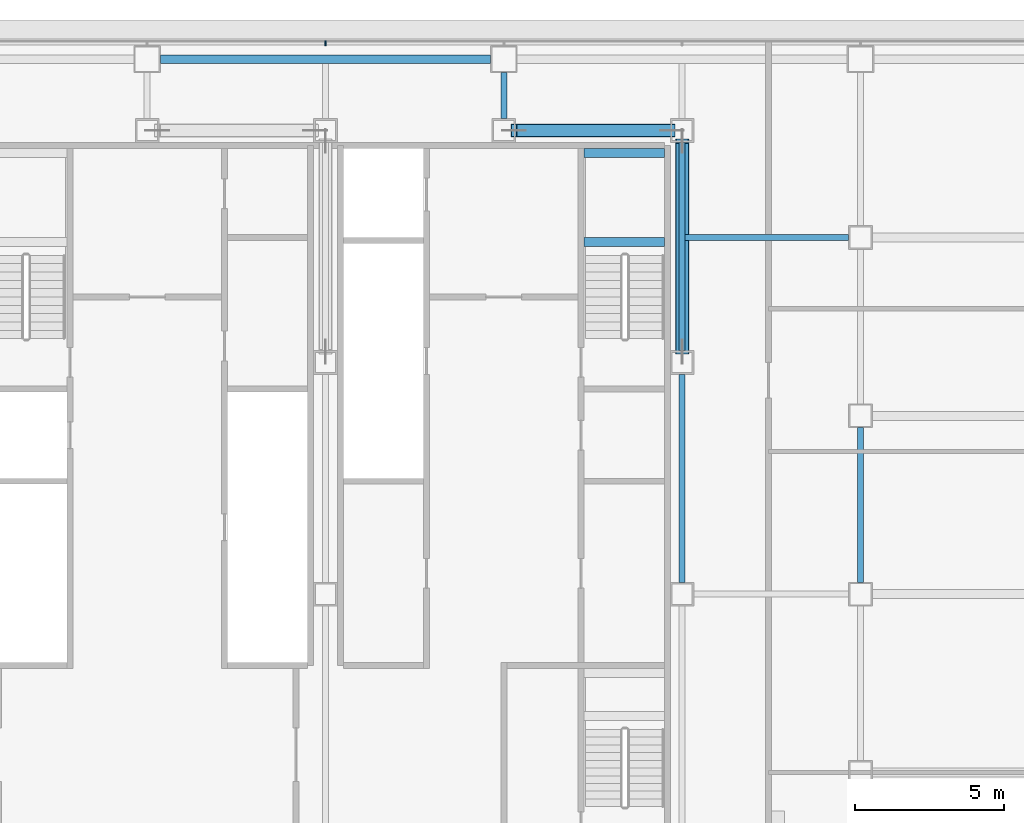
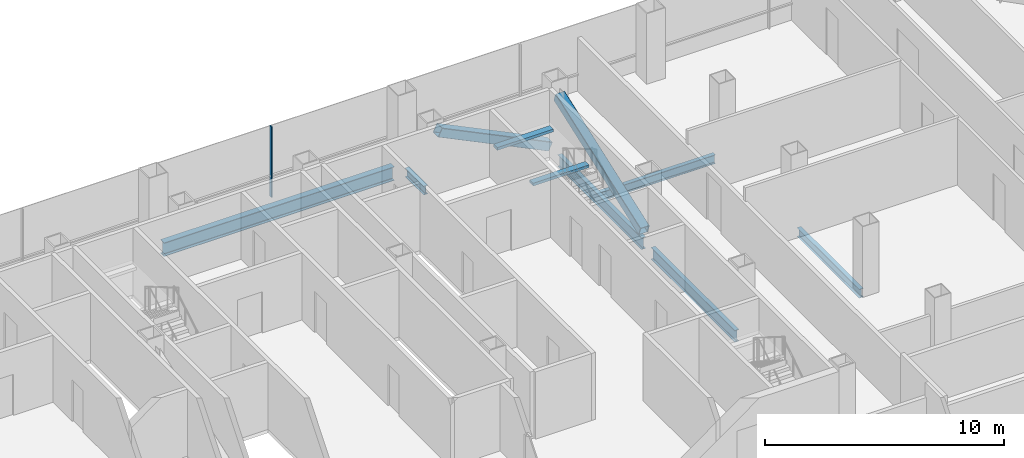
# One storey, part 13 of 27: 8 beams, 3 members, 1 element without a shape of its own.
"""IFC4 building model written with IfcOpenShell, lengths in metres."""

from ifc_helpers import new_model, si_unit, direction, frame, origin, origin_2d, place, context, subcontext, project, spatial, rectangle, hollow_rectangle, i_section, extrude, material, material_profile, profile_set, type_object, element, aggregate, save


model = new_model("IFC4")

# Units and contexts
model_context = context("Model", 3, precision=1e-05, world=origin(), true_north=direction((0.0, 1.0)))
body_context = subcontext(model_context, "Body", "Model", "MODEL_VIEW")
ifc_project = project(units=[si_unit("LENGTHUNIT", "METRE"), si_unit("AREAUNIT", "SQUARE_METRE"), si_unit("VOLUMEUNIT", "CUBIC_METRE"), si_unit("PLANEANGLEUNIT", "RADIAN"), si_unit("MASSUNIT", "GRAM", prefix="KILO")], contexts=[model_context])

# Site, building, storey
site_placement = place(None, origin())
site = spatial("IfcSite", under=ifc_project, at=site_placement, CompositionType="ELEMENT")
building_placement = place(site_placement, origin())
building = spatial("IfcBuilding", under=site, at=building_placement, Name="Sorahane Residences", CompositionType="ELEMENT")
storey_placement = place(building_placement, frame((0.0, 0.0, 53.39990234375)))
storey = spatial("IfcBuildingStorey", under=building, at=storey_placement, Name="L09", CompositionType="ELEMENT", Elevation=53.39990234375)

# Members
ifc_material_1 = material(Name="Steel Q355B", Category="steel")
ifc_material_profile_1 = material_profile(ifc_material_1, hollow_rectangle(XDim=0.449951171875, YDim=0.449951171875, WallThickness=0.02197265625, InnerFilletRadius=0.010986328125, OuterFilletRadius=0.032958984375, at=origin_2d()), Name="RHS 450x450x22")
ifc_profile_set_1 = profile_set([ifc_material_profile_1], Name="Steel Q355B")
member_type_1 = type_object("IfcMemberType", Name="Core brace RHS 450x450x22 Q355B", PredefinedType="BRACE", material=ifc_profile_set_1)
member_1_placement = place(storey_placement, frame((41.658935546875, 45.60009765625, 0.196533203125), z_axis=(-0.899894691922, 0.0, 0.436107261405), x_axis=(0.0, -1.0, 0.0)))
element("IfcMember", 1, at=member_1_placement, inside=storey, type_object=member_type_1, Name="Core brace L09 y45.6-6", PredefinedType="BRACE", context=body_context, shape_type="SweptSolid", body=[
    extrude(hollow_rectangle(XDim=0.449951171875, YDim=0.449951171875, WallThickness=0.02197265625, InnerFilletRadius=0.010986328125, OuterFilletRadius=0.032958984375, at=origin_2d()), origin(), (0.0, 0.0, 1.0), 5.909423828125),
])
member_2_placement = place(storey_placement, frame((42.0, 38.154296875, 0.208740234375), z_axis=(0.0, 0.940893192956, 0.338703409266), x_axis=(-1.0, 0.0, 0.0)))
element("IfcMember", 2, at=member_2_placement, inside=storey, type_object=member_type_1, Name="Core brace L09 x42-3", PredefinedType="BRACE", context=body_context, shape_type="SweptSolid", body=[
    extrude(hollow_rectangle(XDim=0.449951171875, YDim=0.449951171875, WallThickness=0.02197265625, InnerFilletRadius=0.010986328125, OuterFilletRadius=0.032958984375, at=origin_2d()), origin(), (0.0, 0.0, 1.0), 7.536865234375),
])

# Curtain wall, member
ifc_material_2 = material(Name="Dark low-e glass and black anodised aluminium", Category="aluminium")
curtain_wall_type = type_object("IfcCurtainWallType", Name="Curtain wall CW-1 Typical unitised wall", PredefinedType="NOTDEFINED", material=ifc_material_2)
curtain_wall_placement = place(storey_placement, origin())
curtain_wall = element("IfcCurtainWall", 3, at=curtain_wall_placement, inside=storey, type_object=curtain_wall_type, Name="CW-1 curtain wall L09 N1", PredefinedType="NOTDEFINED")
ifc_material_3 = material(Name="Black anodised aluminium", Category="aluminium")
ifc_material_profile_2 = material_profile(ifc_material_3, rectangle(XDim=0.159912109375, YDim=0.050048828125, at=origin_2d()), Name="Curtain wall mullion CW-1 black anodised aluminium 50x160")
ifc_profile_set_2 = profile_set([ifc_material_profile_2], Name="Black anodised aluminium")
member_type_2 = type_object("IfcMemberType", Name="Curtain wall mullion CW-1 black anodised aluminium 50x160", PredefinedType="MULLION", material=ifc_profile_set_2)
member_3_placement = place(storey_placement, frame((30.0, 48.5400390625, -0.179931640625), z_axis=(0.0, 0.0, 1.0), x_axis=(0.0, 1.0, 0.0)))
member_3 = element("IfcMember", 4, at=member_3_placement, type_object=member_type_2, Name="CW-1 mullion L09 N1.6", PredefinedType="MULLION", context=body_context, shape_type="SweptSolid", body=[
    extrude(rectangle(XDim=0.159912109375, YDim=0.050048828125, at=origin_2d()), origin(), (0.0, 0.0, 1.0), 3.60009765625),
])
aggregate(curtain_wall, [member_3])

# Beams
ifc_material_4 = material(Name="Concrete C40", Category="concrete")
ifc_material_profile_3 = material_profile(ifc_material_4, rectangle(XDim=0.300048828125, YDim=0.139892578125, at=origin_2d()), Name="300x140")
ifc_profile_set_3 = profile_set([ifc_material_profile_3], Name="Concrete C40")
beam_type_1 = type_object("IfcBeamType", Name="RC landing beam 300 x 140 Concrete C40", PredefinedType="BEAM", material=ifc_profile_set_3)
for number, where, z_axis, x_axis, name in (
    (5, (38.699951171875, 41.85009765625, 1.530029296875), (1.0, 0.0, 0.0), (0.0, 1.0, 0.0), "Landing beam"),
    (6, (38.699951171875, 44.85009765625, 1.530029296875), (1.0, 0.0, 0.0), (0.0, 1.0, 0.0), "Landing beam"),
):
    element("IfcBeam", number, at=place(storey_placement, frame(where, z_axis=z_axis, x_axis=x_axis)), inside=storey, type_object=beam_type_1, Name=name, PredefinedType="BEAM", context=body_context, shape_type="SweptSolid", body=[
        extrude(rectangle(XDim=0.300048828125, YDim=0.139892578125, at=origin_2d()), origin(), (0.0, 0.0, 1.0), 2.699951171875),
    ])
ifc_material_5 = material(Name="Steel Q355B", Category="steel")
ifc_material_profile_4 = material_profile(ifc_material_5, i_section(OverallWidth=0.199951171875, OverallDepth=0.449951171875, WebThickness=0.009033203125, FlangeThickness=0.013916015625, FilletRadius=0.02001953125, at=origin_2d()), Name="HN 450x200x9x14")
ifc_profile_set_4 = profile_set([ifc_material_profile_4], Name="Steel Q355B")
beam_type_2 = type_object("IfcBeamType", Name="Steel floor beam HN 450x200x9x14 Q355B", PredefinedType="BEAM", material=ifc_profile_set_4)
beam_1_placement = place(storey_placement, frame((36.0, 46.0, -0.40478515625), z_axis=(0.0, 1.0, 0.0), x_axis=(-1.0, 0.0, 0.0)))
element("IfcBeam", 7, at=beam_1_placement, inside=storey, type_object=beam_type_2, Name="Beam L09 044", PredefinedType="BEAM", context=body_context, shape_type="SweptSolid", body=[
    extrude(i_section(OverallWidth=0.199951171875, OverallDepth=0.449951171875, WebThickness=0.009033203125, FlangeThickness=0.013916015625, FilletRadius=0.02001953125, at=origin_2d()), origin(), (0.0, 0.0, 1.0), 1.550048828125),
])
beam_2_placement = place(storey_placement, frame((48.0, 30.39990234375, -0.40478515625), z_axis=(0.0, 1.0, 0.0), x_axis=(-1.0, 0.0, 0.0)))
element("IfcBeam", 8, at=beam_2_placement, inside=storey, type_object=beam_type_2, Name="Beam L09 054", PredefinedType="BEAM", context=body_context, shape_type="SweptSolid", body=[
    extrude(i_section(OverallWidth=0.199951171875, OverallDepth=0.449951171875, WebThickness=0.009033203125, FlangeThickness=0.013916015625, FilletRadius=0.02001953125, at=origin_2d()), origin(), (0.0, 0.0, 1.0), 5.2001953125),
])
beam_3_placement = place(storey_placement, frame((42.10009765625, 42.0, -0.40478515625), z_axis=(1.0, 0.0, 0.0), x_axis=(0.0, 1.0, 0.0)))
element("IfcBeam", 9, at=beam_3_placement, inside=storey, type_object=beam_type_2, Name="Beam L09 080", PredefinedType="BEAM", context=body_context, shape_type="SweptSolid", body=[
    extrude(i_section(OverallWidth=0.199951171875, OverallDepth=0.449951171875, WebThickness=0.009033203125, FlangeThickness=0.013916015625, FilletRadius=0.02001953125, at=origin_2d()), origin(), (0.0, 0.0, 1.0), 5.5),
])
ifc_material_6 = material(Name="Steel Q355B", Category="steel")
ifc_material_profile_5 = material_profile(ifc_material_6, i_section(OverallWidth=0.199951171875, OverallDepth=0.60009765625, WebThickness=0.010986328125, FlangeThickness=0.01708984375, FilletRadius=0.02392578125, at=origin_2d()), Name="HN 600x200x11x17")
ifc_profile_set_5 = profile_set([ifc_material_profile_5], Name="Steel Q355B")
beam_type_3 = type_object("IfcBeamType", Name="Steel floor beam HN 600x200x11x17 Q355B", PredefinedType="BEAM", material=ifc_profile_set_5)
for number, where, z_axis, x_axis, name in (
    (10, (42.0, 30.39990234375, -0.47998046875), (0.0, 1.0, 0.0), (-1.0, 0.0, 0.0), "Beam L09 048"),
    (11, (42.0, 38.199951171875, -0.47998046875), (0.0, 1.0, 0.0), (-1.0, 0.0, 0.0), "Beam L09 049"),
):
    element("IfcBeam", number, at=place(storey_placement, frame(where, z_axis=z_axis, x_axis=x_axis)), inside=storey, type_object=beam_type_3, Name=name, PredefinedType="BEAM", context=body_context, shape_type="SweptSolid", body=[
        extrude(i_section(OverallWidth=0.199951171875, OverallDepth=0.60009765625, WebThickness=0.010986328125, FlangeThickness=0.01708984375, FilletRadius=0.02392578125, at=origin_2d()), origin(), (0.0, 0.0, 1.0), 7.0),
    ])
ifc_material_7 = material(Name="Steel Q355B", Category="steel")
ifc_material_profile_6 = material_profile(ifc_material_7, i_section(OverallWidth=0.300048828125, OverallDepth=0.699951171875, WebThickness=0.012939453125, FlangeThickness=0.02392578125, FilletRadius=0.028076171875, at=origin_2d()), Name="HN 700x300x13x24")
ifc_profile_set_6 = profile_set([ifc_material_profile_6], Name="Steel Q355B")
beam_type_4 = type_object("IfcBeamType", Name="Steel floor beam HN 700x300x13x24 Q355B", PredefinedType="BEAM", material=ifc_profile_set_6)
beam_4_placement = place(storey_placement, frame((24.449951171875, 48.0, -0.52978515625), z_axis=(1.0, 0.0, 0.0), x_axis=(0.0, 1.0, 0.0)))
element("IfcBeam", 12, at=beam_4_placement, inside=storey, type_object=beam_type_4, Name="Beam L09 014", PredefinedType="BEAM", context=body_context, shape_type="SweptSolid", body=[
    extrude(i_section(OverallWidth=0.300048828125, OverallDepth=0.699951171875, WebThickness=0.012939453125, FlangeThickness=0.02392578125, FilletRadius=0.028076171875, at=origin_2d()), origin(), (0.0, 0.0, 1.0), 11.10009765625),
])

save(model, "model.ifc")
